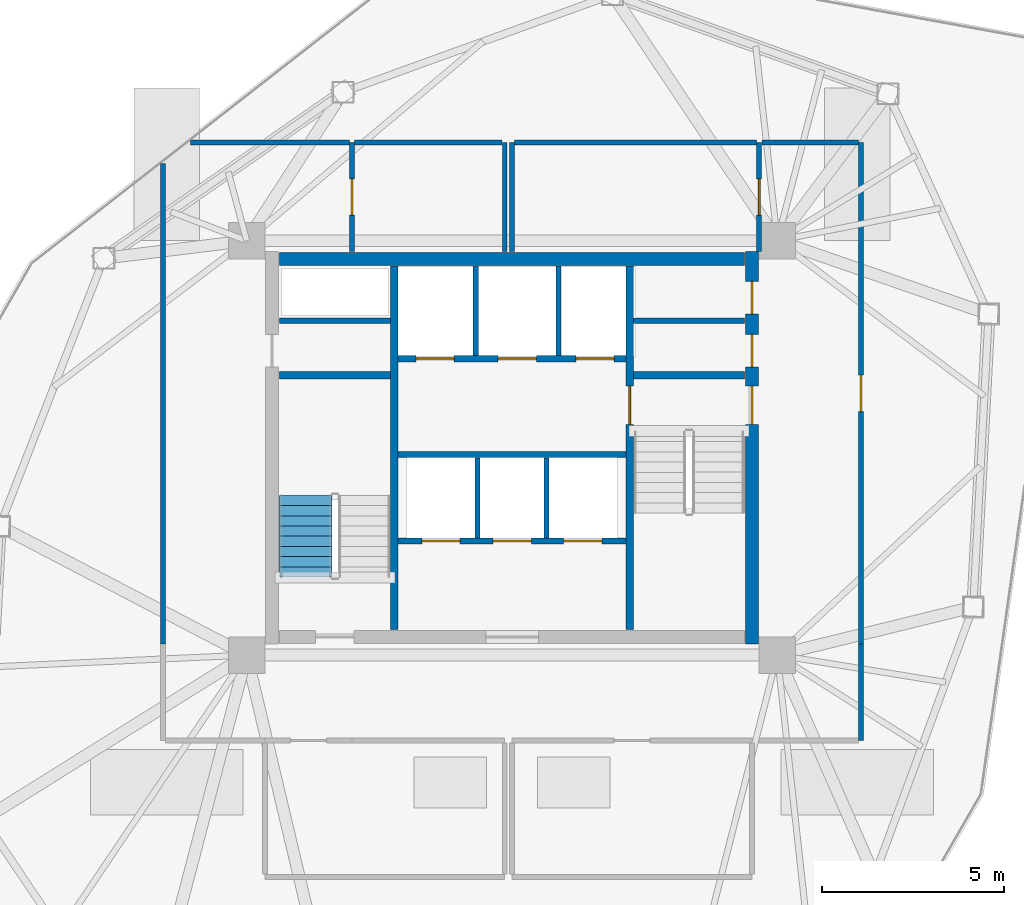
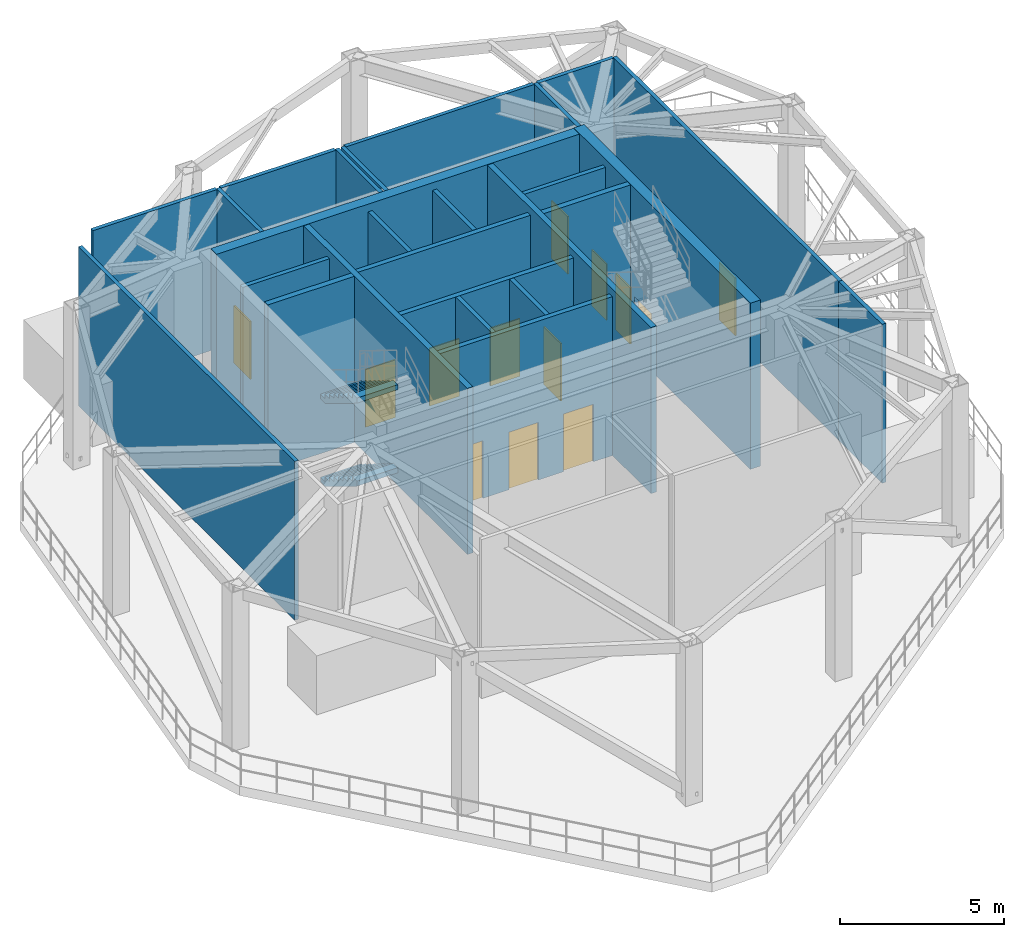
# One storey, part 3 of 7: 26 walls, 13 doors, 2 stair flights, 13 openings, 1 element without a shape of its own.
"""IFC4 building model written with IfcOpenShell, lengths in metres."""

from ifc_helpers import new_model, si_unit, direction, frame, frame_2d, origin, place, context, subcontext, project, spatial, polyline, rectangle, outline, extrude, source, transform, mapped, material, layer, layer_set, type_object, type_shapes, element, fill, aggregate, save


model = new_model("IFC4")

# Units and contexts
model_context = context("Model", 3, precision=1e-05, world=origin(), true_north=direction((0.0, 1.0)))
body_context = subcontext(model_context, "Body", "Model", "MODEL_VIEW")
ifc_project = project(units=[si_unit("LENGTHUNIT", "METRE"), si_unit("AREAUNIT", "SQUARE_METRE"), si_unit("VOLUMEUNIT", "CUBIC_METRE"), si_unit("PLANEANGLEUNIT", "RADIAN"), si_unit("MASSUNIT", "GRAM", prefix="KILO")], contexts=[model_context])

# Site, building, storey
site_placement = place(None, origin())
site = spatial("IfcSite", under=ifc_project, at=site_placement, CompositionType="ELEMENT")
building_placement = place(site_placement, origin())
building = spatial("IfcBuilding", under=site, at=building_placement, Name="Talar Marvaseh", CompositionType="ELEMENT")
storey_placement = place(building_placement, frame((0.0, 0.0, 202.0)))
storey = spatial("IfcBuildingStorey", under=building, at=storey_placement, Name="L53", CompositionType="ELEMENT", Elevation=202.0)

# Walls
ifc_material_1 = material(Name="Gypsum Board Partition Assembly")
ifc_layer_1 = layer(ifc_material_1, 0.155029296875)
ifc_layer_set_1 = layer_set([ifc_layer_1], Name="Gypsum Board Partition Assembly")
wall_type_1 = type_object("IfcWallType", Name="Corridor Fire-Rated Acoustic Partition 155", PredefinedType="PARTITIONING", material=ifc_layer_set_1)
for number, where, z_axis, x_axis, name in (
    (1, (19.60009765625, 34.699951171875, 0.0), (0.0, 0.0, 1.0), (1.0, 0.0, 0.0), "L53 Core BOH Partition"),
    (2, (29.340087890625, 34.699951171875, 0.0), (0.0, 0.0, 1.0), (1.0, 0.0, 0.0), "L53 Core BOH Partition"),
):
    element("IfcWall", number, at=place(storey_placement, frame(where, z_axis=z_axis, x_axis=x_axis)), inside=storey, type_object=wall_type_1, Name=name, PredefinedType="PARTITIONING", context=body_context, shape_type="SweptSolid", body=[
        extrude(rectangle(XDim=3.059814453125, YDim=0.155029296875, at=frame_2d((1.52978515625, 0.0))), origin(), (0.0, 0.0, 1.0), 5.929931640625),
    ])
ifc_material_2 = material(Name="Precast concrete C45/55", Category="concrete")
ifc_layer_2 = layer(ifc_material_2, 0.14501953125)
ifc_layer_set_2 = layer_set([ifc_layer_2], Name="Precast concrete C45/55")
wall_type_2 = type_object("IfcWallType", Name="Fire-Rated Lift Divider Wall 145", PredefinedType="SOLIDWALL", material=ifc_layer_set_2)
for number, where, z_axis, x_axis, name in (
    (3, (25.0, 33.743408203125, 0.0), (0.0, 0.0, 1.0), (0.0, 1.0, 0.0), "L53 FFL-1/FFL-2 Divider"),
    (4, (27.280029296875, 33.743408203125, 0.0), (0.0, 0.0, 1.0), (0.0, 1.0, 0.0), "L53 FFL-2/SVL-1 Divider"),
):
    element("IfcWall", number, at=place(storey_placement, frame(where, z_axis=z_axis, x_axis=x_axis)), inside=storey, type_object=wall_type_2, Name=name, PredefinedType="SOLIDWALL", context=body_context, shape_type="SweptSolid", body=[
        extrude(rectangle(XDim=2.45654296875, YDim=0.14501953125, at=frame_2d((1.228271484375, 0.0))), origin(), (0.0, 0.0, 1.0), 5.929931640625),
    ])
for number, where, z_axis, x_axis, name in (
    (5, (25.050048828125, 28.719970703125, 0.0), (0.0, 0.0, 1.0), (0.0, 1.0, 0.0), "L53 PL-H1/PL-H2 Divider"),
    (6, (26.949951171875, 28.719970703125, 0.0), (0.0, 0.0, 1.0), (0.0, 1.0, 0.0), "L53 PL-H2/PL-H3 Divider"),
):
    element("IfcWall", number, at=place(storey_placement, frame(where, z_axis=z_axis, x_axis=x_axis)), inside=storey, type_object=wall_type_2, Name=name, PredefinedType="SOLIDWALL", context=body_context, shape_type="SweptSolid", body=[
        extrude(rectangle(XDim=2.20654296875, YDim=0.14501953125, at=frame_2d((1.103271484375, 0.0))), origin(), (0.0, 0.0, 1.0), 5.929931640625),
    ])

# Wall, openings, doors
ifc_layer_3 = layer(ifc_material_2, 0.175048828125)
ifc_layer_set_3 = layer_set([ifc_layer_3], Name="Precast concrete C45/55")
wall_type_3 = type_object("IfcWallType", Name="Fire-Rated Lift Hoistway Enclosure Wall 175", PredefinedType="SOLIDWALL", material=ifc_layer_set_3)
wall_1_placement = place(storey_placement, frame((22.860107421875, 33.64990234375, 0.0), z_axis=(0.0, 0.0, 1.0), x_axis=(1.0, 0.0, 0.0)))
wall_1 = element("IfcWall", 7, at=wall_1_placement, inside=storey, type_object=wall_type_3, Name="L53 Firefighting and Service Lift Front Wall", PredefinedType="SOLIDWALL", context=body_context, shape_type="SweptSolid", body=[
    extrude(rectangle(XDim=6.27978515625, YDim=0.175048828125, at=frame_2d((3.139892578125, 0.0))), origin(), (0.0, 0.0, 1.0), 5.929931640625),
])
opening_1_placement = place(wall_1_placement, frame((0.5, 0.0, 0.0)))
opening_1 = element("IfcOpeningElement", 8, at=opening_1_placement, cuts=wall_1, Name="Opening LD-FF1", PredefinedType="OPENING", context=body_context, shape_type="SweptSolid", body=[
    extrude(rectangle(XDim=1.050048828125, YDim=2.14990234375, at=frame_2d((0.52490234375, 1.074951171875))), frame((0.0, 0.09765625, 0.0), z_axis=(0.0, -1.0, 0.0), x_axis=(1.0, 0.0, 0.0)), (0.0, 0.0, 1.0), 0.195068359375),
])
opening_2_placement = place(wall_1_placement, frame((2.760009765625, 0.0, 0.0)))
opening_2 = element("IfcOpeningElement", 9, at=opening_2_placement, cuts=wall_1, Name="Opening LD-FF2", PredefinedType="OPENING", context=body_context, shape_type="SweptSolid", body=[
    extrude(rectangle(XDim=1.050048828125, YDim=2.14990234375, at=frame_2d((0.52490234375, 1.074951171875))), frame((0.0, 0.09765625, 0.0), z_axis=(0.0, -1.0, 0.0), x_axis=(1.0, 0.0, 0.0)), (0.0, 0.0, 1.0), 0.195068359375),
])
opening_3_placement = place(wall_1_placement, frame((4.89990234375, 0.0, 0.0)))
opening_3 = element("IfcOpeningElement", 10, at=opening_3_placement, cuts=wall_1, Name="Opening LD-SV1", PredefinedType="OPENING", context=body_context, shape_type="SweptSolid", body=[
    extrude(rectangle(XDim=1.050048828125, YDim=2.14990234375, at=frame_2d((0.52490234375, 1.074951171875))), frame((0.0, 0.09765625, 0.0), z_axis=(0.0, -1.0, 0.0), x_axis=(1.0, 0.0, 0.0)), (0.0, 0.0, 1.0), 0.195068359375),
])
ifc_material_3 = material(Name="Stainless Steel Grade 316", Category="steel")
door_type_1 = type_object("IfcDoorType", Name="Automatic Sliding Lift Landing Door 1050x2150", OperationType="NOTDEFINED", PredefinedType="DOOR", material=ifc_material_3)
shared_shape_1 = source(origin(), body_context, "Body", "SweptSolid", [
    extrude(rectangle(XDim=1.050048828125, YDim=2.14990234375, at=frame_2d((0.52490234375, 1.074951171875))), frame((0.0, 0.02490234375, 0.0), z_axis=(0.0, -1.0, 0.0), x_axis=(1.0, 0.0, 0.0)), (0.0, 0.0, 1.0), 0.050048828125),
])
type_shapes(door_type_1, [shared_shape_1])
door_1_placement = place(opening_1_placement, origin())
door_1 = element("IfcDoor", 11, at=door_1_placement, inside=storey, type_object=door_type_1, Name="L53 Lift FFL-1 Sliding Landing Door", OperationType="SLIDING_TO_LEFT", OverallHeight=2.14990234375, OverallWidth=1.050048828125, PredefinedType="DOOR", context=body_context, shape_type="MappedRepresentation", body=[
    mapped(shared_shape_1, transform((0.0, 0.0, 0.0), x_axis=(1.0, 0.0, 0.0), y_axis=(0.0, 1.0, 0.0), z_axis=(0.0, 0.0, 1.0), scale=1.0)),
])
fill(opening_1, door_1)
door_2_placement = place(opening_2_placement, origin())
door_2 = element("IfcDoor", 12, at=door_2_placement, inside=storey, type_object=door_type_1, Name="L53 Lift FFL-2 Sliding Landing Door", OperationType="SLIDING_TO_LEFT", OverallHeight=2.14990234375, OverallWidth=1.050048828125, PredefinedType="DOOR", context=body_context, shape_type="MappedRepresentation", body=[
    mapped(shared_shape_1, transform((0.0, 0.0, 0.0), x_axis=(1.0, 0.0, 0.0), y_axis=(0.0, 1.0, 0.0), z_axis=(0.0, 0.0, 1.0), scale=1.0)),
])
fill(opening_2, door_2)
door_3_placement = place(opening_3_placement, origin())
door_3 = element("IfcDoor", 13, at=door_3_placement, inside=storey, type_object=door_type_1, Name="L53 Lift SVL-1 Sliding Landing Door", OperationType="SLIDING_TO_LEFT", OverallHeight=2.14990234375, OverallWidth=1.050048828125, PredefinedType="DOOR", context=body_context, shape_type="MappedRepresentation", body=[
    mapped(shared_shape_1, transform((0.0, 0.0, 0.0), x_axis=(1.0, 0.0, 0.0), y_axis=(0.0, 1.0, 0.0), z_axis=(0.0, 0.0, 1.0), scale=1.0)),
])
fill(opening_3, door_3)

# Wall
wall_2_placement = place(storey_placement, frame((22.860107421875, 31.02001953125, 0.0), z_axis=(0.0, 0.0, 1.0), x_axis=(1.0, 0.0, 0.0)))
element("IfcWall", 14, at=wall_2_placement, inside=storey, type_object=wall_type_3, Name="L53 Firefighting Lobby South Smoke Wall", PredefinedType="SOLIDWALL", context=body_context, shape_type="SweptSolid", body=[
    extrude(rectangle(XDim=6.27978515625, YDim=0.175048828125, at=frame_2d((3.139892578125, 0.0))), origin(), (0.0, 0.0, 1.0), 5.929931640625),
])

# Wall, openings, doors
wall_3_placement = place(storey_placement, frame((22.860107421875, 28.639892578125, 0.0), z_axis=(0.0, 0.0, 1.0), x_axis=(1.0, 0.0, 0.0)))
wall_3 = element("IfcWall", 15, at=wall_3_placement, inside=storey, type_object=wall_type_3, Name="L53 High-Rise Lift Bank Front Wall", PredefinedType="SOLIDWALL", context=body_context, shape_type="SweptSolid", body=[
    extrude(rectangle(XDim=6.27978515625, YDim=0.175048828125, at=frame_2d((3.139892578125, 0.0))), origin(), (0.0, 0.0, 1.0), 5.929931640625),
])
opening_4_placement = place(wall_3_placement, frame((0.659912109375, 0.0, 0.0)))
opening_4 = element("IfcOpeningElement", 16, at=opening_4_placement, cuts=wall_3, Name="Opening LD-PLH1", PredefinedType="OPENING", context=body_context, shape_type="SweptSolid", body=[
    extrude(rectangle(XDim=1.050048828125, YDim=2.14990234375, at=frame_2d((0.52490234375, 1.074951171875))), frame((0.0, 0.09765625, 0.0), z_axis=(0.0, -1.0, 0.0), x_axis=(1.0, 0.0, 0.0)), (0.0, 0.0, 1.0), 0.195068359375),
])
opening_5_placement = place(wall_3_placement, frame((2.6201171875, 0.0, 0.0)))
opening_5 = element("IfcOpeningElement", 17, at=opening_5_placement, cuts=wall_3, Name="Opening LD-PLH2", PredefinedType="OPENING", context=body_context, shape_type="SweptSolid", body=[
    extrude(rectangle(XDim=1.050048828125, YDim=2.14990234375, at=frame_2d((0.52490234375, 1.074951171875))), frame((0.0, 0.09765625, 0.0), z_axis=(0.0, -1.0, 0.0), x_axis=(1.0, 0.0, 0.0)), (0.0, 0.0, 1.0), 0.195068359375),
])
opening_6_placement = place(wall_3_placement, frame((4.56005859375, 0.0, 0.0)))
opening_6 = element("IfcOpeningElement", 18, at=opening_6_placement, cuts=wall_3, Name="Opening LD-PLH3", PredefinedType="OPENING", context=body_context, shape_type="SweptSolid", body=[
    extrude(rectangle(XDim=1.050048828125, YDim=2.14990234375, at=frame_2d((0.52490234375, 1.074951171875))), frame((0.0, 0.09765625, 0.0), z_axis=(0.0, -1.0, 0.0), x_axis=(1.0, 0.0, 0.0)), (0.0, 0.0, 1.0), 0.195068359375),
])
door_4_placement = place(opening_4_placement, origin())
door_4 = element("IfcDoor", 19, at=door_4_placement, inside=storey, type_object=door_type_1, Name="L53 Lift PL-H1 Sliding Landing Door", OperationType="SLIDING_TO_LEFT", OverallHeight=2.14990234375, OverallWidth=1.050048828125, PredefinedType="DOOR", context=body_context, shape_type="MappedRepresentation", body=[
    mapped(shared_shape_1, transform((0.0, 0.0, 0.0), x_axis=(1.0, 0.0, 0.0), y_axis=(0.0, 1.0, 0.0), z_axis=(0.0, 0.0, 1.0), scale=1.0)),
])
fill(opening_4, door_4)
door_5_placement = place(opening_5_placement, origin())
door_5 = element("IfcDoor", 20, at=door_5_placement, inside=storey, type_object=door_type_1, Name="L53 Lift PL-H2 Sliding Landing Door", OperationType="SLIDING_TO_LEFT", OverallHeight=2.14990234375, OverallWidth=1.050048828125, PredefinedType="DOOR", context=body_context, shape_type="MappedRepresentation", body=[
    mapped(shared_shape_1, transform((0.0, 0.0, 0.0), x_axis=(1.0, 0.0, 0.0), y_axis=(0.0, 1.0, 0.0), z_axis=(0.0, 0.0, 1.0), scale=1.0)),
])
fill(opening_5, door_5)
door_6_placement = place(opening_6_placement, origin())
door_6 = element("IfcDoor", 21, at=door_6_placement, inside=storey, type_object=door_type_1, Name="L53 Lift PL-H3 Sliding Landing Door", OperationType="SLIDING_TO_LEFT", OverallHeight=2.14990234375, OverallWidth=1.050048828125, PredefinedType="DOOR", context=body_context, shape_type="MappedRepresentation", body=[
    mapped(shared_shape_1, transform((0.0, 0.0, 0.0), x_axis=(1.0, 0.0, 0.0), y_axis=(0.0, 1.0, 0.0), z_axis=(0.0, 0.0, 1.0), scale=1.0)),
])
fill(opening_6, door_6)

# Wall, opening, door
ifc_layer_4 = layer(ifc_material_1, 0.135009765625)
ifc_layer_set_4 = layer_set([ifc_layer_4], Name="Gypsum Board Partition Assembly")
wall_type_4 = type_object("IfcWallType", Name="Gallery High-Acoustic Partition 135", PredefinedType="PARTITIONING", material=ifc_layer_set_4)
wall_4_placement = place(storey_placement, frame((21.60009765625, 36.60009765625, 0.0), z_axis=(0.0, 0.0, 1.0), x_axis=(0.0, 1.0, 0.0)))
wall_4 = element("IfcWall", 22, at=wall_4_placement, inside=storey, type_object=wall_type_4, Name="L53 Interior Partition Wall", PredefinedType="PARTITIONING", context=body_context, shape_type="SweptSolid", body=[
    extrude(rectangle(XDim=3.0, YDim=0.135009765625, at=frame_2d((1.5, 0.0))), origin(), (0.0, 0.0, 1.0), 5.929931640625),
])
opening_7_placement = place(wall_4_placement, frame((1.0, 0.0, 0.0)))
opening_7 = element("IfcOpeningElement", 23, at=opening_7_placement, cuts=wall_4, Name="Opening DR-RM100", PredefinedType="OPENING", context=body_context, shape_type="SweptSolid", body=[
    extrude(rectangle(XDim=1.0, YDim=2.14990234375, at=frame_2d((0.5, 1.074951171875))), frame((0.0, 0.07763671875, 0.0), z_axis=(0.0, -1.0, 0.0), x_axis=(1.0, 0.0, 0.0)), (0.0, 0.0, 1.0), 0.155029296875),
])
ifc_material_4 = material(Name="Acoustic Engineered Oak Timber", Category="wood")
door_type_2 = type_object("IfcDoorType", Name="Corridor Fire-Rated Gallery Door 1000x2150", OperationType="NOTDEFINED", PredefinedType="DOOR", material=ifc_material_4)
shared_shape_2 = source(origin(), body_context, "Body", "SweptSolid", [
    extrude(rectangle(XDim=1.0, YDim=2.14990234375, at=frame_2d((0.5, 1.074951171875))), frame((0.0, 0.02490234375, 0.0), z_axis=(0.0, -1.0, 0.0), x_axis=(1.0, 0.0, 0.0)), (0.0, 0.0, 1.0), 0.050048828125),
])
type_shapes(door_type_2, [shared_shape_2])
door_7_placement = place(opening_7_placement, origin())
door_7 = element("IfcDoor", 24, at=door_7_placement, inside=storey, type_object=door_type_2, Name="L53 Wind Monitoring Control Plant Room Door", OperationType="SINGLE_SWING_LEFT", OverallHeight=2.14990234375, OverallWidth=1.0, PredefinedType="DOOR", context=body_context, shape_type="MappedRepresentation", body=[
    mapped(shared_shape_2, transform((0.0, 0.0, 0.0), x_axis=(1.0, 0.0, 0.0), y_axis=(0.0, 1.0, 0.0), z_axis=(0.0, 0.0, 1.0), scale=1.0)),
])
fill(opening_7, door_7)

wall_5_placement = place(storey_placement, frame((32.800048828125, 39.60009765625, 0.0), z_axis=(0.0, 0.0, 1.0), x_axis=(0.0, -1.0, 0.0)))
wall_5 = element("IfcWall", 25, at=wall_5_placement, inside=storey, type_object=wall_type_4, Name="L53 Interior Partition Wall", PredefinedType="PARTITIONING", context=body_context, shape_type="SweptSolid", body=[
    extrude(rectangle(XDim=3.0, YDim=0.135009765625, at=frame_2d((1.5, 0.0))), origin(), (0.0, 0.0, 1.0), 5.929931640625),
])
opening_8_placement = place(wall_5_placement, frame((1.0, 0.0, 0.0)))
opening_8 = element("IfcOpeningElement", 26, at=opening_8_placement, cuts=wall_5, Name="Opening DR-RM100", PredefinedType="OPENING", context=body_context, shape_type="SweptSolid", body=[
    extrude(rectangle(XDim=1.0, YDim=2.14990234375, at=frame_2d((0.5, 1.074951171875))), frame((0.0, 0.07763671875, 0.0), z_axis=(0.0, -1.0, 0.0), x_axis=(1.0, 0.0, 0.0)), (0.0, 0.0, 1.0), 0.155029296875),
])
door_8_placement = place(opening_8_placement, origin())
door_8 = element("IfcDoor", 27, at=door_8_placement, inside=storey, type_object=door_type_2, Name="L53 Portal Area of Refuge Door", OperationType="SINGLE_SWING_LEFT", OverallHeight=2.14990234375, OverallWidth=1.0, PredefinedType="DOOR", context=body_context, shape_type="MappedRepresentation", body=[
    mapped(shared_shape_2, transform((0.0, 0.0, 0.0), x_axis=(1.0, 0.0, 0.0), y_axis=(0.0, 1.0, 0.0), z_axis=(0.0, 0.0, 1.0), scale=1.0)),
])
fill(opening_8, door_8)

wall_6_placement = place(storey_placement, frame((35.60009765625, 39.60009765625, 0.0), z_axis=(0.0, 0.0, 1.0), x_axis=(0.0, -1.0, 0.0)))
wall_6 = element("IfcWall", 28, at=wall_6_placement, inside=storey, type_object=wall_type_4, Name="L53 Interior Partition Wall", PredefinedType="PARTITIONING", context=body_context, shape_type="SweptSolid", body=[
    extrude(rectangle(XDim=13.800048828125, YDim=0.135009765625, at=frame_2d((6.89990234375, 0.0))), origin(), (0.0, 0.0, 1.0), 5.929931640625),
])
opening_9_placement = place(wall_6_placement, frame((6.39990234375, 0.0, 0.0)))
opening_9 = element("IfcOpeningElement", 29, at=opening_9_placement, cuts=wall_6, Name="Opening DR-RM100", PredefinedType="OPENING", context=body_context, shape_type="SweptSolid", body=[
    extrude(rectangle(XDim=1.0, YDim=2.14990234375, at=frame_2d((0.5, 1.074951171875))), frame((0.0, 0.07763671875, 0.0), z_axis=(0.0, -1.0, 0.0), x_axis=(1.0, 0.0, 0.0)), (0.0, 0.0, 1.0), 0.155029296875),
])
door_9_placement = place(opening_9_placement, origin())
door_9 = element("IfcDoor", 30, at=door_9_placement, inside=storey, type_object=door_type_2, Name="L53 Open Wind Turbine Deck Door", OperationType="SINGLE_SWING_LEFT", OverallHeight=2.14990234375, OverallWidth=1.0, PredefinedType="DOOR", context=body_context, shape_type="MappedRepresentation", body=[
    mapped(shared_shape_2, transform((0.0, 0.0, 0.0), x_axis=(1.0, 0.0, 0.0), y_axis=(0.0, 1.0, 0.0), z_axis=(0.0, 0.0, 1.0), scale=1.0)),
])
fill(opening_9, door_9)

# Walls
wall_7_placement = place(storey_placement, frame((25.800048828125, 36.60009765625, 0.0), z_axis=(0.0, 0.0, 1.0), x_axis=(0.0, 1.0, 0.0)))
element("IfcWall", 31, at=wall_7_placement, inside=storey, type_object=wall_type_4, Name="L53 Interior Partition Wall", PredefinedType="PARTITIONING", context=body_context, shape_type="SweptSolid", body=[
    extrude(rectangle(XDim=3.0, YDim=0.135009765625, at=frame_2d((1.5, 0.0))), origin(), (0.0, 0.0, 1.0), 5.929931640625),
])
wall_8_placement = place(storey_placement, frame((21.673583984375, 39.60009765625, 0.0), z_axis=(0.0, 0.0, 1.0), x_axis=(1.0, 0.0, 0.0)))
element("IfcWall", 32, at=wall_8_placement, inside=storey, type_object=wall_type_4, Name="L53 Interior Partition Wall", PredefinedType="PARTITIONING", context=body_context, shape_type="SweptSolid", body=[
    extrude(rectangle(XDim=4.052978515625, YDim=0.135009765625, at=frame_2d((2.0263671875, 0.0))), origin(), (0.0, 0.0, 1.0), 5.929931640625),
])
wall_9_placement = place(storey_placement, frame((26.0, 36.60009765625, 0.0), z_axis=(0.0, 0.0, 1.0), x_axis=(0.0, 1.0, 0.0)))
element("IfcWall", 33, at=wall_9_placement, inside=storey, type_object=wall_type_4, Name="L53 Interior Partition Wall", PredefinedType="PARTITIONING", context=body_context, shape_type="SweptSolid", body=[
    extrude(rectangle(XDim=3.0, YDim=0.135009765625, at=frame_2d((1.5, 0.0))), origin(), (0.0, 0.0, 1.0), 5.929931640625),
])
wall_10_placement = place(storey_placement, frame((26.073486328125, 39.60009765625, 0.0), z_axis=(0.0, 0.0, 1.0), x_axis=(1.0, 0.0, 0.0)))
element("IfcWall", 34, at=wall_10_placement, inside=storey, type_object=wall_type_4, Name="L53 Interior Partition Wall", PredefinedType="PARTITIONING", context=body_context, shape_type="SweptSolid", body=[
    extrude(rectangle(XDim=6.653076171875, YDim=0.135009765625, at=frame_2d((3.32666015625, 0.0))), origin(), (0.0, 0.0, 1.0), 5.929931640625),
])
wall_11_placement = place(storey_placement, frame((16.39990234375, 25.800048828125, 0.0), z_axis=(0.0, 0.0, 1.0), x_axis=(0.0, 1.0, 0.0)))
element("IfcWall", 35, at=wall_11_placement, inside=storey, type_object=wall_type_4, Name="L53 Interior Partition Wall", PredefinedType="PARTITIONING", context=body_context, shape_type="SweptSolid", body=[
    extrude(rectangle(XDim=13.219970703125, YDim=0.135009765625, at=frame_2d((6.60986328125, 0.0))), origin(), (0.0, 0.0, 1.0), 5.929931640625),
])
wall_12_placement = place(storey_placement, frame((17.14990234375, 39.60009765625, 0.0), z_axis=(0.0, 0.0, 1.0), x_axis=(1.0, 0.0, 0.0)))
element("IfcWall", 36, at=wall_12_placement, inside=storey, type_object=wall_type_4, Name="L53 Interior Partition Wall", PredefinedType="PARTITIONING", context=body_context, shape_type="SweptSolid", body=[
    extrude(rectangle(XDim=4.376708984375, YDim=0.135009765625, at=frame_2d((2.1884765625, 0.0))), origin(), (0.0, 0.0, 1.0), 5.929931640625),
])
wall_13_placement = place(storey_placement, frame((32.87353515625, 39.60009765625, 0.0), z_axis=(0.0, 0.0, 1.0), x_axis=(1.0, 0.0, 0.0)))
element("IfcWall", 37, at=wall_13_placement, inside=storey, type_object=wall_type_4, Name="L53 Interior Partition Wall", PredefinedType="PARTITIONING", context=body_context, shape_type="SweptSolid", body=[
    extrude(rectangle(XDim=2.653076171875, YDim=0.135009765625, at=frame_2d((1.32666015625, 0.0))), origin(), (0.0, 0.0, 1.0), 5.929931640625),
])
wall_14_placement = place(storey_placement, frame((35.60009765625, 25.800048828125, 0.0), z_axis=(0.0, 0.0, 1.0), x_axis=(0.0, -1.0, 0.0)))
element("IfcWall", 38, at=wall_14_placement, inside=storey, type_object=wall_type_4, Name="L53 Interior Partition Wall", PredefinedType="PARTITIONING", context=body_context, shape_type="SweptSolid", body=[
    extrude(rectangle(XDim=2.650146484375, YDim=0.135009765625, at=frame_2d((1.3251953125, 0.0))), origin(), (0.0, 0.0, 1.0), 5.929931640625),
])
ifc_material_5 = material(Name="Concrete C50/60", Category="concrete")
ifc_layer_5 = layer(ifc_material_5, 0.199951171875)
ifc_layer_set_5 = layer_set([ifc_layer_5], Name="Concrete C50/60")
wall_type_5 = type_object("IfcWallType", Name="Stair Shaft Structural Concrete Shear Wall 200", PredefinedType="SHEAR", material=ifc_layer_set_5)
wall_15_placement = place(storey_placement, frame((22.760009765625, 26.199951171875, 0.0), z_axis=(0.0, 0.0, 1.0), x_axis=(0.0, 1.0, 0.0)))
element("IfcWall", 39, at=wall_15_placement, inside=storey, type_object=wall_type_5, Name="L53 Core West Stair Shear Wall", PredefinedType="SHEAR", context=body_context, shape_type="SweptSolid", body=[
    extrude(rectangle(XDim=10.0, YDim=0.199951171875, at=frame_2d((5.0, 0.0))), origin(), (0.0, 0.0, 1.0), 6.199951171875),
])

# Wall, opening, door
wall_16_placement = place(storey_placement, frame((29.239990234375, 26.199951171875, 0.0), z_axis=(0.0, 0.0, 1.0), x_axis=(0.0, 1.0, 0.0)))
wall_16 = element("IfcWall", 40, at=wall_16_placement, inside=storey, type_object=wall_type_5, Name="L53 Core East Stair Shear Wall", PredefinedType="SHEAR", context=body_context, shape_type="SweptSolid", body=[
    extrude(rectangle(XDim=10.0, YDim=0.199951171875, at=frame_2d((5.0, 0.0))), origin(), (0.0, 0.0, 1.0), 6.199951171875),
])
opening_10_placement = place(wall_16_placement, frame((5.64990234375, 0.0, 0.0)))
opening_10 = element("IfcOpeningElement", 41, at=opening_10_placement, cuts=wall_16, Name="Opening DR-ST105", PredefinedType="OPENING", context=body_context, shape_type="SweptSolid", body=[
    extrude(rectangle(XDim=1.050048828125, YDim=2.14990234375, at=frame_2d((0.52490234375, 1.074951171875))), frame((0.0, 0.10986328125, 0.0), z_axis=(0.0, -1.0, 0.0), x_axis=(1.0, 0.0, 0.0)), (0.0, 0.0, 1.0), 0.219970703125),
])
ifc_material_6 = material(Name="Fire-Rated Steel Door Leaf", Category="steel")
door_type_3 = type_object("IfcDoorType", Name="Protected Exit Stair Fire Door 1050x2150", OperationType="NOTDEFINED", PredefinedType="DOOR", material=ifc_material_6)
shared_shape_3 = source(origin(), body_context, "Body", "SweptSolid", [
    extrude(rectangle(XDim=1.050048828125, YDim=2.14990234375, at=frame_2d((0.52490234375, 1.074951171875))), frame((0.0, 0.02490234375, 0.0), z_axis=(0.0, -1.0, 0.0), x_axis=(1.0, 0.0, 0.0)), (0.0, 0.0, 1.0), 0.050048828125),
])
type_shapes(door_type_3, [shared_shape_3])
door_10_placement = place(opening_10_placement, origin())
door_10 = element("IfcDoor", 42, at=door_10_placement, inside=storey, type_object=door_type_3, Name="L53 Firefighting Lobby to Stair ST-2 Door", OperationType="SINGLE_SWING_LEFT", OverallHeight=2.14990234375, OverallWidth=1.050048828125, PredefinedType="DOOR", context=body_context, shape_type="MappedRepresentation", body=[
    mapped(shared_shape_3, transform((0.0, 0.0, 0.0), x_axis=(1.0, 0.0, 0.0), y_axis=(0.0, 1.0, 0.0), z_axis=(0.0, 0.0, 1.0), scale=1.0)),
])
fill(opening_10, door_10)

# Walls
for number, where, z_axis, x_axis, name in (
    (43, (19.60009765625, 33.199951171875, 0.0), (0.0, 0.0, 1.0), (1.0, 0.0, 0.0), "L53 Stair ST-1 North Shear Wall"),
    (44, (29.340087890625, 33.199951171875, 0.0), (0.0, 0.0, 1.0), (1.0, 0.0, 0.0), "L53 Stair ST-2 North Shear Wall"),
):
    element("IfcWall", number, at=place(storey_placement, frame(where, z_axis=z_axis, x_axis=x_axis)), inside=storey, type_object=wall_type_5, Name=name, PredefinedType="SHEAR", context=body_context, shape_type="SweptSolid", body=[
        extrude(rectangle(XDim=3.059814453125, YDim=0.199951171875, at=frame_2d((1.52978515625, 0.0))), origin(), (0.0, 0.0, 1.0), 6.199951171875),
    ])

# Wall, openings, doors
ifc_layer_6 = layer(ifc_material_5, 0.360107421875)
ifc_layer_set_6 = layer_set([ifc_layer_6], Name="Concrete C50/60")
wall_type_6 = type_object("IfcWallType", Name="Upper Core Reinforced Concrete Shear Wall 360", PredefinedType="SHEAR", material=ifc_layer_set_6)
wall_17_placement = place(storey_placement, frame((32.60009765625, 36.60009765625, 0.0), z_axis=(0.0, 0.0, 1.0), x_axis=(0.0, -1.0, 0.0)))
wall_17 = element("IfcWall", 45, at=wall_17_placement, inside=storey, type_object=wall_type_6, Name="L53 East Core Shear Wall", PredefinedType="SHEAR", context=body_context, shape_type="SweptSolid", body=[
    extrude(rectangle(XDim=10.800048828125, YDim=0.360107421875, at=frame_2d((5.39990234375, 0.0))), origin(), (0.0, 0.0, 1.0), 6.199951171875),
])
opening_11_placement = place(wall_17_placement, frame((3.699951171875, 0.0, 0.0)))
opening_11 = element("IfcOpeningElement", 46, at=opening_11_placement, cuts=wall_17, Name="Opening DR-ST105", PredefinedType="OPENING", context=body_context, shape_type="SweptSolid", body=[
    extrude(rectangle(XDim=1.050048828125, YDim=2.14990234375, at=frame_2d((0.52490234375, 1.074951171875))), frame((0.0, 0.18994140625, 0.0), z_axis=(0.0, -1.0, 0.0), x_axis=(1.0, 0.0, 0.0)), (0.0, 0.0, 1.0), 0.380126953125),
])
opening_12_placement = place(wall_17_placement, frame((2.280029296875, 0.0, 0.0)))
opening_12 = element("IfcOpeningElement", 47, at=opening_12_placement, cuts=wall_17, Name="Opening DR-BOH090", PredefinedType="OPENING", context=body_context, shape_type="SweptSolid", body=[
    extrude(rectangle(XDim=0.89990234375, YDim=2.10009765625, at=frame_2d((0.449951171875, 1.050048828125))), frame((0.0, 0.18994140625, 0.0), z_axis=(0.0, -1.0, 0.0), x_axis=(1.0, 0.0, 0.0)), (0.0, 0.0, 1.0), 0.380126953125),
])
opening_13_placement = place(wall_17_placement, frame((0.820068359375, 0.0, 0.0)))
opening_13 = element("IfcOpeningElement", 48, at=opening_13_placement, cuts=wall_17, Name="Opening DR-BOH090", PredefinedType="OPENING", context=body_context, shape_type="SweptSolid", body=[
    extrude(rectangle(XDim=0.89990234375, YDim=2.10009765625, at=frame_2d((0.449951171875, 1.050048828125))), frame((0.0, 0.18994140625, 0.0), z_axis=(0.0, -1.0, 0.0), x_axis=(1.0, 0.0, 0.0)), (0.0, 0.0, 1.0), 0.380126953125),
])
door_11_placement = place(opening_11_placement, origin())
door_11 = element("IfcDoor", 49, at=door_11_placement, inside=storey, type_object=door_type_3, Name="L53 Stair ST-2 Corridor Exit Door", OperationType="SINGLE_SWING_LEFT", OverallHeight=2.14990234375, OverallWidth=1.050048828125, PredefinedType="DOOR", context=body_context, shape_type="MappedRepresentation", body=[
    mapped(shared_shape_3, transform((0.0, 0.0, 0.0), x_axis=(1.0, 0.0, 0.0), y_axis=(0.0, 1.0, 0.0), z_axis=(0.0, 0.0, 1.0), scale=1.0)),
])
fill(opening_11, door_11)
door_type_4 = type_object("IfcDoorType", Name="Core Back-of-House Service Door 900x2100", OperationType="NOTDEFINED", PredefinedType="DOOR", material=ifc_material_6)
shared_shape_4 = source(origin(), body_context, "Body", "SweptSolid", [
    extrude(rectangle(XDim=0.89990234375, YDim=2.10009765625, at=frame_2d((0.449951171875, 1.050048828125))), frame((0.0, 0.02490234375, 0.0), z_axis=(0.0, -1.0, 0.0), x_axis=(1.0, 0.0, 0.0)), (0.0, 0.0, 1.0), 0.050048828125),
])
type_shapes(door_type_4, [shared_shape_4])
door_12_placement = place(opening_12_placement, origin())
door_12 = element("IfcDoor", 50, at=door_12_placement, inside=storey, type_object=door_type_4, Name="L53 Cleaner Core East Closet Door", OperationType="SINGLE_SWING_LEFT", OverallHeight=2.10009765625, OverallWidth=0.89990234375, PredefinedType="DOOR", context=body_context, shape_type="MappedRepresentation", body=[
    mapped(shared_shape_4, transform((0.0, 0.0, 0.0), x_axis=(1.0, 0.0, 0.0), y_axis=(0.0, 1.0, 0.0), z_axis=(0.0, 0.0, 1.0), scale=1.0)),
])
fill(opening_12, door_12)
door_13_placement = place(opening_13_placement, origin())
door_13 = element("IfcDoor", 51, at=door_13_placement, inside=storey, type_object=door_type_4, Name="L53 Store Core Supplies Room Door", OperationType="SINGLE_SWING_RIGHT", OverallHeight=2.10009765625, OverallWidth=0.89990234375, PredefinedType="DOOR", context=body_context, shape_type="MappedRepresentation", body=[
    mapped(shared_shape_4, transform((0.0, 0.0, 0.0), x_axis=(1.0, 0.0, 0.0), y_axis=(0.0, 1.0, 0.0), z_axis=(0.0, 0.0, 1.0), scale=1.0)),
])
fill(opening_13, door_13)

# Wall
wall_18_placement = place(storey_placement, frame((19.60009765625, 36.39990234375, 0.0), z_axis=(0.0, 0.0, 1.0), x_axis=(1.0, 0.0, 0.0)))
element("IfcWall", 52, at=wall_18_placement, inside=storey, type_object=wall_type_6, Name="L53 North Core Shear Wall", PredefinedType="SHEAR", context=body_context, shape_type="SweptSolid", body=[
    extrude(rectangle(XDim=12.7998046875, YDim=0.360107421875, at=frame_2d((6.39990234375, 0.0))), origin(), (0.0, 0.0, 1.0), 6.199951171875),
])

# Stair, stair flights
ifc_material_7 = material(Name="Concrete C40/50", Category="concrete")
stair_type = type_object("IfcStairType", Name="Reinforced Concrete High-Rise Exit Stair Type C", PredefinedType="HALF_TURN_STAIR", material=ifc_material_7)
stair_placement = place(storey_placement, origin())
stair = element("IfcStair", 53, at=stair_placement, inside=storey, type_object=stair_type, Name="L53 Tower West Core Exit Stair", PredefinedType="HALF_TURN_STAIR")
ifc_layer_7 = layer(ifc_material_7, 0.159912109375)
ifc_layer_set_7 = layer_set([ifc_layer_7], Name="Concrete C40/50")
stair_flight_type = type_object("IfcStairFlightType", Name="Reinforced Concrete Straight Stair Flight 160", PredefinedType="STRAIGHT", material=ifc_layer_set_7)
stair_flight_1_placement = place(storey_placement, frame((20.324951171875, 29.889892578125, 1.550048828125), z_axis=(0.0, 0.0, 1.0), x_axis=(0.0, -1.0, 0.0)))
stair_flight_1 = element("IfcStairFlight", 54, at=stair_flight_1_placement, type_object=stair_flight_type, Name="ST-1 flight 2", NumberOfRisers=9, NumberOfTreads=8, PredefinedType="STRAIGHT", RiserHeight=0.172222222, TreadLength=0.28, context=body_context, shape_type="SweptSolid", body=[
    extrude(outline(polyline([(0.0, 0.0), (0.0, 0.172119140625), (0.280029296875, 0.172119140625), (0.280029296875, 0.344482421875), (0.56005859375, 0.344482421875), (0.56005859375, 0.5166015625), (0.840087890625, 0.5166015625), (0.840087890625, 0.68896484375), (1.1201171875, 0.68896484375), (1.1201171875, 0.861083984375), (1.39990234375, 0.861083984375), (1.39990234375, 1.033447265625), (1.679931640625, 1.033447265625), (1.679931640625, 1.20556640625), (1.9599609375, 1.20556640625), (1.9599609375, 1.377685546875), (2.239990234375, 1.377685546875), (2.239990234375, 1.550048828125), (2.239990234375, 1.18994140625), (0.30517578125, 0.0), (0.0, 0.0)])), frame((0.0, 0.72509765625, 0.0), z_axis=(0.0, -1.0, 0.0), x_axis=(1.0, 0.0, 0.0)), (0.0, 0.0, 1.0), 1.449951171875),
])
stair_flight_2_placement = place(storey_placement, frame((20.324951171875, 29.889892578125, 4.64990234375), z_axis=(0.0, 0.0, 1.0), x_axis=(0.0, -1.0, 0.0)))
stair_flight_2 = element("IfcStairFlight", 55, at=stair_flight_2_placement, type_object=stair_flight_type, Name="ST-1 flight 4", NumberOfRisers=9, NumberOfTreads=8, PredefinedType="STRAIGHT", RiserHeight=0.172222222, TreadLength=0.28, context=body_context, shape_type="SweptSolid", body=[
    extrude(outline(polyline([(0.0, 0.0), (0.0, 0.172119140625), (0.280029296875, 0.172119140625), (0.280029296875, 0.344482421875), (0.56005859375, 0.344482421875), (0.56005859375, 0.5166015625), (0.840087890625, 0.5166015625), (0.840087890625, 0.68896484375), (1.1201171875, 0.68896484375), (1.1201171875, 0.861083984375), (1.39990234375, 0.861083984375), (1.39990234375, 1.033447265625), (1.679931640625, 1.033447265625), (1.679931640625, 1.20556640625), (1.9599609375, 1.20556640625), (1.9599609375, 1.377685546875), (2.239990234375, 1.377685546875), (2.239990234375, 1.550048828125), (2.239990234375, 1.18994140625), (0.30517578125, 0.0), (0.0, 0.0)])), frame((0.0, 0.72509765625, 0.0), z_axis=(0.0, -1.0, 0.0), x_axis=(1.0, 0.0, 0.0)), (0.0, 0.0, 1.0), 1.449951171875),
])
aggregate(stair, [stair_flight_1, stair_flight_2])

save(model, "model.ifc")
